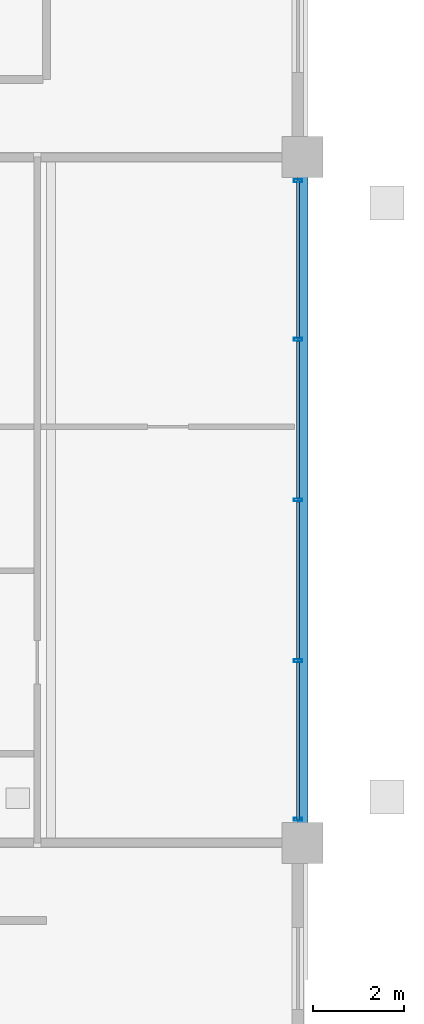
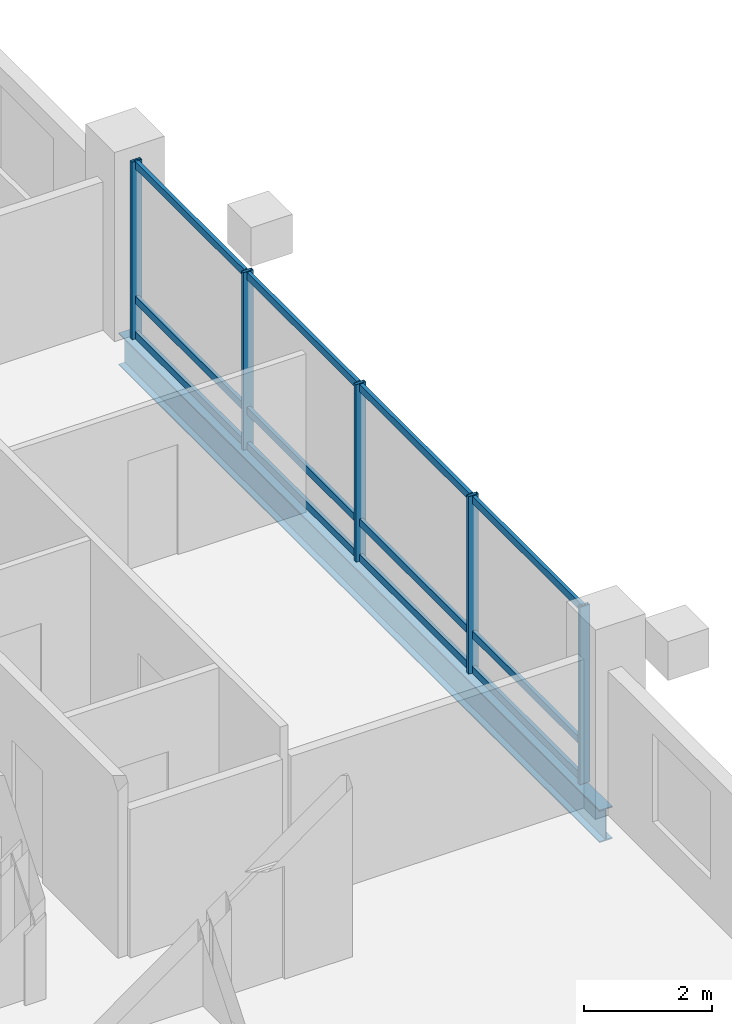
# One storey, part 10 of 21: 17 members, 1 beam, 1 element without a shape of its own.
"""IFC4 building model written with IfcOpenShell, lengths in metres."""

from ifc_helpers import new_model, si_unit, direction, frame, origin, origin_2d, place, context, subcontext, project, spatial, hollow_rectangle, i_section, extrude, material, layer, layer_set, material_profile, profile_set, type_object, element, aggregate, save


model = new_model("IFC4")

# Units and contexts
model_context = context("Model", 3, precision=1e-05, world=origin(), true_north=direction((0.0, 1.0)))
body_context = subcontext(model_context, "Body", "Model", "MODEL_VIEW")
ifc_project = project(units=[si_unit("LENGTHUNIT", "METRE"), si_unit("AREAUNIT", "SQUARE_METRE"), si_unit("VOLUMEUNIT", "CUBIC_METRE"), si_unit("PLANEANGLEUNIT", "RADIAN"), si_unit("MASSUNIT", "GRAM", prefix="KILO")], contexts=[model_context])

# Site, building, storey
site_placement = place(None, origin())
site = spatial("IfcSite", under=ifc_project, at=site_placement, CompositionType="ELEMENT")
building_placement = place(site_placement, origin())
building = spatial("IfcBuilding", under=site, at=building_placement, Name="Barlavira Tower and Art Museum", CompositionType="ELEMENT")
storey_placement = place(building_placement, frame((0.0, 0.0, 254.699951171875)))
storey = spatial("IfcBuildingStorey", under=building, at=storey_placement, Name="L66", CompositionType="ELEMENT", Elevation=254.699951171875)

# Curtain wall, members
ifc_material_1 = material(Name="Low-iron coastal laminated glass", Category="glass")
ifc_layer = layer(ifc_material_1, 0.2099609375, Name="Low-iron coastal laminated glass")
ifc_layer_set = layer_set([ifc_layer], Name="Low-iron coastal laminated glass")
curtain_wall_type = type_object("IfcCurtainWallType", Name="Pale-Metal Unitised Curtain Wall Zone 4", PredefinedType="NOTDEFINED", material=ifc_layer_set)
curtain_wall_placement = place(storey_placement, origin())
curtain_wall = element("IfcCurtainWall", 1, at=curtain_wall_placement, inside=storey, type_object=curtain_wall_type, Name="L66 Curtain Wall CW4-L66-E-B3", PredefinedType="NOTDEFINED")
ifc_material_2 = material(Name="Pale anodised aluminium", Category="aluminium")
ifc_material_profile_1 = material_profile(ifc_material_2, hollow_rectangle(XDim=0.06494140625, YDim=0.179931640625, WallThickness=0.00390625, at=origin_2d()), Name="ALU-MULL 65x180x4")
ifc_profile_set_1 = profile_set([ifc_material_profile_1], Name="Pale anodised aluminium")
member_type_1 = type_object("IfcMemberType", Name="Curtain Wall Pale-Metal Mullion 65x180", PredefinedType="MULLION", material=ifc_profile_set_1)
member_1_placement = place(storey_placement, frame((16.89990234375, -6.985107421875, 0.0), z_axis=(0.0, 0.0, 1.0), x_axis=(0.0, 1.0, 0.0)))
member_1 = element("IfcMember", 2, at=member_1_placement, type_object=member_type_1, Name="CW4-L66-E-B3 Mullion 0", PredefinedType="MULLION", context=body_context, shape_type="SweptSolid", body=[
    extrude(hollow_rectangle(XDim=0.06494140625, YDim=0.179931640625, WallThickness=0.00390625, at=origin_2d()), origin(), (0.0, 0.0, 1.0), 3.380126953125),
])
member_2_placement = place(storey_placement, frame((16.89990234375, -3.514892578125, 0.0), z_axis=(0.0, 0.0, 1.0), x_axis=(0.0, 1.0, 0.0)))
member_2 = element("IfcMember", 3, at=member_2_placement, type_object=member_type_1, Name="CW4-L66-E-B3 Mullion 1", PredefinedType="MULLION", context=body_context, shape_type="SweptSolid", body=[
    extrude(hollow_rectangle(XDim=0.06494140625, YDim=0.179931640625, WallThickness=0.00390625, at=origin_2d()), origin(), (0.0, 0.0, 1.0), 3.380126953125),
])
member_3_placement = place(storey_placement, frame((16.89990234375, 0.0, 0.0), z_axis=(0.0, 0.0, 1.0), x_axis=(0.0, 1.0, 0.0)))
member_3 = element("IfcMember", 4, at=member_3_placement, type_object=member_type_1, Name="CW4-L66-E-B3 Mullion 2", PredefinedType="MULLION", context=body_context, shape_type="SweptSolid", body=[
    extrude(hollow_rectangle(XDim=0.06494140625, YDim=0.179931640625, WallThickness=0.00390625, at=origin_2d()), origin(), (0.0, 0.0, 1.0), 3.380126953125),
])
member_4_placement = place(storey_placement, frame((16.89990234375, 3.514892578125, 0.0), z_axis=(0.0, 0.0, 1.0), x_axis=(0.0, 1.0, 0.0)))
member_4 = element("IfcMember", 5, at=member_4_placement, type_object=member_type_1, Name="CW4-L66-E-B3 Mullion 3", PredefinedType="MULLION", context=body_context, shape_type="SweptSolid", body=[
    extrude(hollow_rectangle(XDim=0.06494140625, YDim=0.179931640625, WallThickness=0.00390625, at=origin_2d()), origin(), (0.0, 0.0, 1.0), 3.380126953125),
])
member_5_placement = place(storey_placement, frame((16.89990234375, 6.985107421875, 0.0), z_axis=(0.0, 0.0, 1.0), x_axis=(0.0, 1.0, 0.0)))
member_5 = element("IfcMember", 6, at=member_5_placement, type_object=member_type_1, Name="CW4-L66-E-B3 Mullion 4", PredefinedType="MULLION", context=body_context, shape_type="SweptSolid", body=[
    extrude(hollow_rectangle(XDim=0.06494140625, YDim=0.179931640625, WallThickness=0.00390625, at=origin_2d()), origin(), (0.0, 0.0, 1.0), 3.380126953125),
])
ifc_material_profile_2 = material_profile(ifc_material_2, hollow_rectangle(XDim=0.06494140625, YDim=0.139892578125, WallThickness=0.00390625, at=origin_2d()), Name="ALU-TRAN 65x140x4")
ifc_profile_set_2 = profile_set([ifc_material_profile_2], Name="Pale anodised aluminium")
member_type_2 = type_object("IfcMemberType", Name="Curtain Wall Pale-Metal Transom 65x140", PredefinedType="USERDEFINED", material=ifc_profile_set_2)
member_6_placement = place(storey_placement, frame((16.89990234375, -6.985107421875, 0.070068359375), z_axis=(0.0, 1.0, 0.0), x_axis=(-1.0, 0.0, 0.0)))
member_6 = element("IfcMember", 7, at=member_6_placement, type_object=member_type_2, Name="CW4-L66-E-B3 Transom 0.1", ObjectType="TRANSOM", PredefinedType="USERDEFINED", context=body_context, shape_type="SweptSolid", body=[
    extrude(hollow_rectangle(XDim=0.06494140625, YDim=0.139892578125, WallThickness=0.00390625, at=origin_2d()), origin(), (0.0, 0.0, 1.0), 3.425048828125),
])
member_7_placement = place(storey_placement, frame((16.89990234375, -6.985107421875, 0.744140625), z_axis=(0.0, 1.0, 0.0), x_axis=(-1.0, 0.0, 0.0)))
member_7 = element("IfcMember", 8, at=member_7_placement, type_object=member_type_2, Name="CW4-L66-E-B3 Transom 0.2", ObjectType="TRANSOM", PredefinedType="USERDEFINED", context=body_context, shape_type="SweptSolid", body=[
    extrude(hollow_rectangle(XDim=0.06494140625, YDim=0.139892578125, WallThickness=0.00390625, at=origin_2d()), origin(), (0.0, 0.0, 1.0), 3.425048828125),
])
member_8_placement = place(storey_placement, frame((16.89990234375, -6.985107421875, 3.31005859375), z_axis=(0.0, 1.0, 0.0), x_axis=(-1.0, 0.0, 0.0)))
member_8 = element("IfcMember", 9, at=member_8_placement, type_object=member_type_2, Name="CW4-L66-E-B3 Transom 0.3", ObjectType="TRANSOM", PredefinedType="USERDEFINED", context=body_context, shape_type="SweptSolid", body=[
    extrude(hollow_rectangle(XDim=0.06494140625, YDim=0.139892578125, WallThickness=0.00390625, at=origin_2d()), origin(), (0.0, 0.0, 1.0), 3.425048828125),
])
member_9_placement = place(storey_placement, frame((16.89990234375, -3.469970703125, 0.070068359375), z_axis=(0.0, 1.0, 0.0), x_axis=(-1.0, 0.0, 0.0)))
member_9 = element("IfcMember", 10, at=member_9_placement, type_object=member_type_2, Name="CW4-L66-E-B3 Transom 1.1", ObjectType="TRANSOM", PredefinedType="USERDEFINED", context=body_context, shape_type="SweptSolid", body=[
    extrude(hollow_rectangle(XDim=0.06494140625, YDim=0.139892578125, WallThickness=0.00390625, at=origin_2d()), origin(), (0.0, 0.0, 1.0), 3.425048828125),
])
member_10_placement = place(storey_placement, frame((16.89990234375, -3.469970703125, 0.744140625), z_axis=(0.0, 1.0, 0.0), x_axis=(-1.0, 0.0, 0.0)))
member_10 = element("IfcMember", 11, at=member_10_placement, type_object=member_type_2, Name="CW4-L66-E-B3 Transom 1.2", ObjectType="TRANSOM", PredefinedType="USERDEFINED", context=body_context, shape_type="SweptSolid", body=[
    extrude(hollow_rectangle(XDim=0.06494140625, YDim=0.139892578125, WallThickness=0.00390625, at=origin_2d()), origin(), (0.0, 0.0, 1.0), 3.425048828125),
])
member_11_placement = place(storey_placement, frame((16.89990234375, -3.469970703125, 3.31005859375), z_axis=(0.0, 1.0, 0.0), x_axis=(-1.0, 0.0, 0.0)))
member_11 = element("IfcMember", 12, at=member_11_placement, type_object=member_type_2, Name="CW4-L66-E-B3 Transom 1.3", ObjectType="TRANSOM", PredefinedType="USERDEFINED", context=body_context, shape_type="SweptSolid", body=[
    extrude(hollow_rectangle(XDim=0.06494140625, YDim=0.139892578125, WallThickness=0.00390625, at=origin_2d()), origin(), (0.0, 0.0, 1.0), 3.425048828125),
])
member_12_placement = place(storey_placement, frame((16.89990234375, 0.044921875, 0.070068359375), z_axis=(0.0, 1.0, 0.0), x_axis=(-1.0, 0.0, 0.0)))
member_12 = element("IfcMember", 13, at=member_12_placement, type_object=member_type_2, Name="CW4-L66-E-B3 Transom 2.1", ObjectType="TRANSOM", PredefinedType="USERDEFINED", context=body_context, shape_type="SweptSolid", body=[
    extrude(hollow_rectangle(XDim=0.06494140625, YDim=0.139892578125, WallThickness=0.00390625, at=origin_2d()), origin(), (0.0, 0.0, 1.0), 3.425048828125),
])
member_13_placement = place(storey_placement, frame((16.89990234375, 0.044921875, 0.744140625), z_axis=(0.0, 1.0, 0.0), x_axis=(-1.0, 0.0, 0.0)))
member_13 = element("IfcMember", 14, at=member_13_placement, type_object=member_type_2, Name="CW4-L66-E-B3 Transom 2.2", ObjectType="TRANSOM", PredefinedType="USERDEFINED", context=body_context, shape_type="SweptSolid", body=[
    extrude(hollow_rectangle(XDim=0.06494140625, YDim=0.139892578125, WallThickness=0.00390625, at=origin_2d()), origin(), (0.0, 0.0, 1.0), 3.425048828125),
])
member_14_placement = place(storey_placement, frame((16.89990234375, 0.044921875, 3.31005859375), z_axis=(0.0, 1.0, 0.0), x_axis=(-1.0, 0.0, 0.0)))
member_14 = element("IfcMember", 15, at=member_14_placement, type_object=member_type_2, Name="CW4-L66-E-B3 Transom 2.3", ObjectType="TRANSOM", PredefinedType="USERDEFINED", context=body_context, shape_type="SweptSolid", body=[
    extrude(hollow_rectangle(XDim=0.06494140625, YDim=0.139892578125, WallThickness=0.00390625, at=origin_2d()), origin(), (0.0, 0.0, 1.0), 3.425048828125),
])
member_15_placement = place(storey_placement, frame((16.89990234375, 3.56005859375, 0.070068359375), z_axis=(0.0, 1.0, 0.0), x_axis=(-1.0, 0.0, 0.0)))
member_15 = element("IfcMember", 16, at=member_15_placement, type_object=member_type_2, Name="CW4-L66-E-B3 Transom 3.1", ObjectType="TRANSOM", PredefinedType="USERDEFINED", context=body_context, shape_type="SweptSolid", body=[
    extrude(hollow_rectangle(XDim=0.06494140625, YDim=0.139892578125, WallThickness=0.00390625, at=origin_2d()), origin(), (0.0, 0.0, 1.0), 3.425048828125),
])
member_16_placement = place(storey_placement, frame((16.89990234375, 3.56005859375, 0.744140625), z_axis=(0.0, 1.0, 0.0), x_axis=(-1.0, 0.0, 0.0)))
member_16 = element("IfcMember", 17, at=member_16_placement, type_object=member_type_2, Name="CW4-L66-E-B3 Transom 3.2", ObjectType="TRANSOM", PredefinedType="USERDEFINED", context=body_context, shape_type="SweptSolid", body=[
    extrude(hollow_rectangle(XDim=0.06494140625, YDim=0.139892578125, WallThickness=0.00390625, at=origin_2d()), origin(), (0.0, 0.0, 1.0), 3.425048828125),
])
member_17_placement = place(storey_placement, frame((16.89990234375, 3.56005859375, 3.31005859375), z_axis=(0.0, 1.0, 0.0), x_axis=(-1.0, 0.0, 0.0)))
member_17 = element("IfcMember", 18, at=member_17_placement, type_object=member_type_2, Name="CW4-L66-E-B3 Transom 3.3", ObjectType="TRANSOM", PredefinedType="USERDEFINED", context=body_context, shape_type="SweptSolid", body=[
    extrude(hollow_rectangle(XDim=0.06494140625, YDim=0.139892578125, WallThickness=0.00390625, at=origin_2d()), origin(), (0.0, 0.0, 1.0), 3.425048828125),
])
aggregate(curtain_wall, [member_1, member_2, member_3, member_4, member_5, member_6, member_7, member_8, member_9, member_10, member_11, member_12, member_13, member_14, member_15, member_16, member_17])

# Beam
ifc_material_3 = material(Name="Steel S355", Category="steel")
ifc_material_profile_3 = material_profile(ifc_material_3, i_section(OverallWidth=0.22998046875, OverallDepth=0.616943359375, WebThickness=0.01318359375, FlangeThickness=0.022216796875, at=origin_2d()), Name="W610x140.0")
ifc_profile_set_3 = profile_set([ifc_material_profile_3], Name="Steel S355")
beam_type = type_object("IfcBeamType", Name="Upper Shaft Spandrel Edge Beam W610x140 Steel S355", PredefinedType="SPANDREL", material=ifc_profile_set_3)
beam_placement = place(storey_placement, frame((17.0, -7.5, -0.528564453125), z_axis=(0.0, 1.0, 0.0), x_axis=(-1.0, 0.0, 0.0)))
element("IfcBeam", 19, at=beam_placement, inside=storey, type_object=beam_type, Name="L66 Spandrel 6", PredefinedType="SPANDREL", context=body_context, shape_type="SweptSolid", body=[
    extrude(i_section(OverallWidth=0.22998046875, OverallDepth=0.616943359375, WebThickness=0.01318359375, FlangeThickness=0.022216796875, at=origin_2d()), origin(), (0.0, 0.0, 1.0), 15.0),
])

save(model, "model.ifc")
